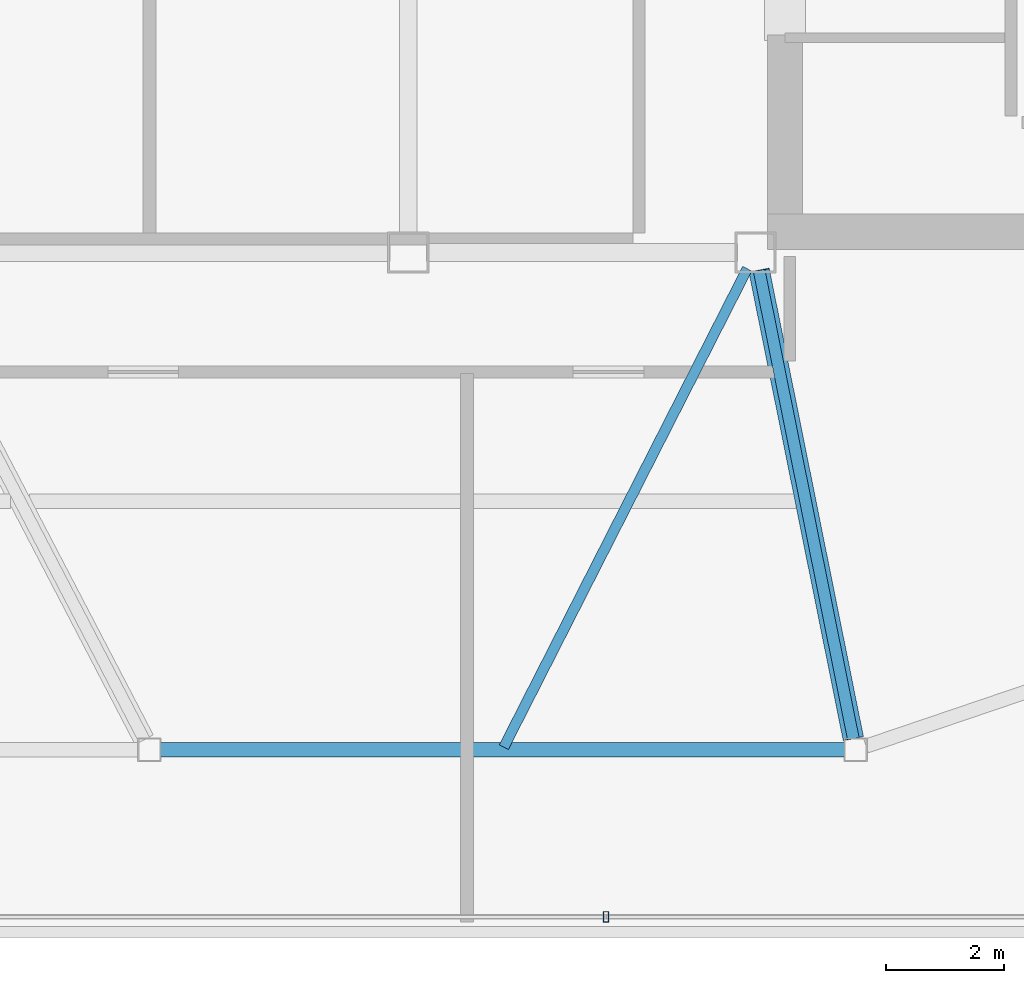
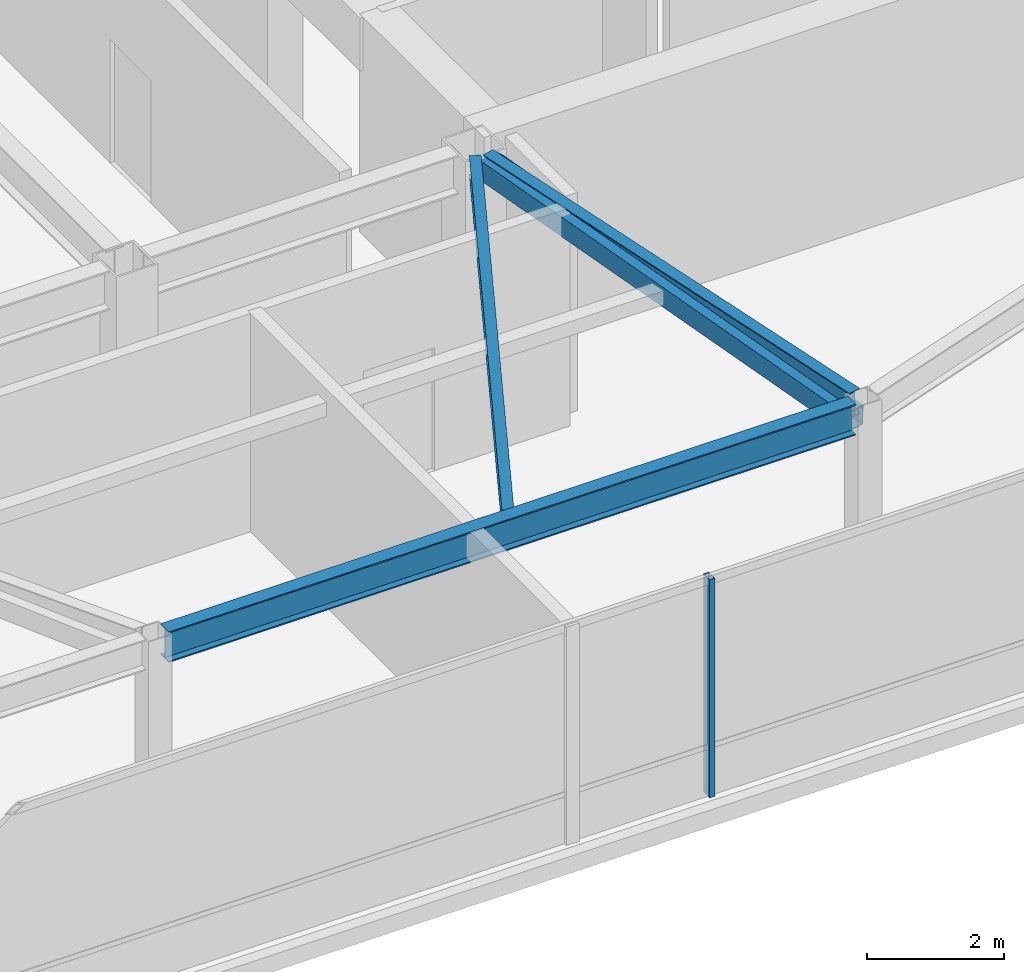
# One storey, part 8 of 21: 3 beams, 2 members, 1 element without a shape of its own.
"""IFC4 building model written with IfcOpenShell, lengths in metres."""

from ifc_helpers import new_model, si_unit, direction, frame, origin, origin_2d, place, context, subcontext, project, spatial, hollow_rectangle, i_section, extrude, material, layer, layer_set, material_profile, profile_set, type_object, element, aggregate, save


model = new_model("IFC4")

# Units and contexts
model_context = context("Model", 3, precision=1e-05, world=origin(), true_north=direction((0.0, 1.0)))
body_context = subcontext(model_context, "Body", "Model", "MODEL_VIEW")
ifc_project = project(units=[si_unit("LENGTHUNIT", "METRE"), si_unit("AREAUNIT", "SQUARE_METRE"), si_unit("VOLUMEUNIT", "CUBIC_METRE"), si_unit("PLANEANGLEUNIT", "RADIAN"), si_unit("MASSUNIT", "GRAM", prefix="KILO")], contexts=[model_context])

# Site, building, storey
site_placement = place(None, origin())
site = spatial("IfcSite", under=ifc_project, at=site_placement, CompositionType="ELEMENT")
building_placement = place(site_placement, origin())
building = spatial("IfcBuilding", under=site, at=building_placement, Name="Tavrogorsk Clinical Tower", CompositionType="ELEMENT")
storey_placement = place(building_placement, frame((0.0, 0.0, 348.60009765625)))
storey = spatial("IfcBuildingStorey", under=building, at=storey_placement, Name="L81", CompositionType="ELEMENT", Elevation=348.60009765625)

# Member
ifc_material_1 = material(Name="Structural steel S390", Category="steel")
ifc_material_profile_1 = material_profile(ifc_material_1, hollow_rectangle(XDim=0.35009765625, YDim=0.35009765625, WallThickness=0.01611328125, at=origin_2d()), Name="SHS-350x350x16")
ifc_profile_set_1 = profile_set([ifc_material_profile_1], Name="Structural steel S390")
member_type_1 = type_object("IfcMemberType", Name="CrownFacetRafter_SHS350", PredefinedType="RAFTER", material=ifc_profile_set_1)
member_1_placement = place(storey_placement, frame((10.361083984375, -6.65380859375, 3.669189453125), z_axis=(0.197131403057, -0.979759922029, -0.034780815313), x_axis=(0.980353070529, 0.197250746779, 0.0)))
element("IfcMember", 1, at=member_1_placement, inside=storey, type_object=member_type_1, Name="L81 Sloped Facet Rafter S-3", PredefinedType="RAFTER", context=body_context, shape_type="SweptSolid", body=[
    extrude(hollow_rectangle(XDim=0.35009765625, YDim=0.35009765625, WallThickness=0.01611328125, at=origin_2d()), origin(), (0.0, 0.0, 1.0), 8.114501953125),
])

# Curtain wall, member
ifc_material_2 = material(Name="Anodised aluminium and triple IGU glazing", Category="aluminium")
ifc_layer = layer(ifc_material_2, 0.179931640625)
ifc_layer_set = layer_set([ifc_layer], Name="Anodised aluminium and triple IGU glazing")
curtain_wall_type = type_object("IfcCurtainWallType", Name="CW5_SkyLobby", PredefinedType="NOTDEFINED", material=ifc_layer_set)
curtain_wall_placement = place(storey_placement, origin())
curtain_wall = element("IfcCurtainWall", 2, at=curtain_wall_placement, inside=storey, type_object=curtain_wall_type, Name="L81 Curtain Wall CW-L81-DRUM-8", PredefinedType="NOTDEFINED")
ifc_material_3 = material(Name="Anodised aluminium alloy AW-6060", Category="aluminium")
ifc_material_profile_2 = material_profile(ifc_material_3, hollow_rectangle(XDim=0.090087890625, YDim=0.179931640625, WallThickness=0.00634765625, at=origin_2d()), Name="RHS-180x90x6.3")
ifc_profile_set_2 = profile_set([ifc_material_profile_2], Name="Anodised aluminium alloy AW-6060")
member_type_2 = type_object("IfcMemberType", Name="CwMullion_180x90", PredefinedType="MULLION", material=ifc_profile_set_2)
member_2_placement = place(storey_placement, frame((7.7578125, -17.639892578125, 0.0), z_axis=(0.0, 0.0, 1.0), x_axis=(-1.0, 0.0, 0.0)))
member_2 = element("IfcMember", 3, at=member_2_placement, type_object=member_type_2, Name="CW-L81-DRUM-8 Mullion 2", PredefinedType="MULLION", context=body_context, shape_type="SweptSolid", body=[
    extrude(hollow_rectangle(XDim=0.090087890625, YDim=0.179931640625, WallThickness=0.00634765625, at=origin_2d()), origin(), (0.0, 0.0, 1.0), 3.89990234375),
])
aggregate(curtain_wall, [member_2])

# Beams
ifc_material_4 = material(Name="Structural steel S355", Category="steel")
ifc_material_profile_3 = material_profile(ifc_material_4, i_section(OverallWidth=0.199951171875, OverallDepth=0.449951171875, WebThickness=0.011474609375, FlangeThickness=0.01806640625, at=origin_2d()), Name="B-450x200x11.5x18")
ifc_profile_set_3 = profile_set([ifc_material_profile_3], Name="Structural steel S355")
beam_type_1 = type_object("IfcBeamType", Name="FloorBeam_B450", PredefinedType="BEAM", material=ifc_profile_set_3)
beam_1_placement = place(storey_placement, frame((10.361083984375, -6.65380859375, 3.6748046875), z_axis=(0.197249355273, -0.980353350504, 0.0), x_axis=(0.980353350504, 0.197249355273, 0.0)))
element("IfcBeam", 4, at=beam_1_placement, inside=storey, type_object=beam_type_1, Name="L81 Crown Radial Beam 03", PredefinedType="BEAM", context=body_context, shape_type="SweptSolid", body=[
    extrude(i_section(OverallWidth=0.199951171875, OverallDepth=0.449951171875, WebThickness=0.011474609375, FlangeThickness=0.01806640625, at=origin_2d()), origin(), (0.0, 0.0, 1.0), 8.119384765625),
])
ifc_material_5 = material(Name="Structural steel S355", Category="steel")
ifc_material_profile_4 = material_profile(ifc_material_5, i_section(OverallWidth=0.175048828125, OverallDepth=0.35009765625, WebThickness=0.009521484375, FlangeThickness=0.013916015625, at=origin_2d()), Name="B-350x175x9.5x14")
ifc_profile_set_4 = profile_set([ifc_material_profile_4], Name="Structural steel S355")
beam_type_2 = type_object("IfcBeamType", Name="SecondaryJoist_B350", PredefinedType="JOIST", material=ifc_profile_set_4)
beam_2_placement = place(storey_placement, frame((10.159423828125, -6.626220703125, 3.724853515625), z_axis=(-0.4535299827, -0.891241019474, 0.0), x_axis=(0.891241019474, -0.4535299827, 0.0)))
element("IfcBeam", 5, at=beam_2_placement, inside=storey, type_object=beam_type_2, Name="L81 Crown Secondary Joist 02", PredefinedType="JOIST", context=body_context, shape_type="SweptSolid", body=[
    extrude(i_section(OverallWidth=0.175048828125, OverallDepth=0.35009765625, WebThickness=0.009521484375, FlangeThickness=0.013916015625, at=origin_2d()), origin(), (0.0, 0.0, 1.0), 9.12109375),
])
ifc_material_6 = material(Name="Structural steel S390", Category="steel")
ifc_material_profile_5 = material_profile(ifc_material_6, i_section(OverallWidth=0.239990234375, OverallDepth=0.550048828125, WebThickness=0.013916015625, FlangeThickness=0.02197265625, at=origin_2d()), Name="B-550x240x14x22")
ifc_profile_set_5 = profile_set([ifc_material_profile_5], Name="Structural steel S390")
beam_type_3 = type_object("IfcBeamType", Name="SpandrelBeam_B550", PredefinedType="SPANDREL", material=ifc_profile_set_5)
beam_3_placement = place(storey_placement, frame((0.18994140625, -14.800048828125, 3.625), z_axis=(1.0, 0.0, 0.0), x_axis=(0.0, 1.0, 0.0)))
element("IfcBeam", 6, at=beam_3_placement, inside=storey, type_object=beam_type_3, Name="L81 Crown Spandrel Beam 02", PredefinedType="SPANDREL", context=body_context, shape_type="SweptSolid", body=[
    extrude(i_section(OverallWidth=0.239990234375, OverallDepth=0.550048828125, WebThickness=0.013916015625, FlangeThickness=0.02197265625, at=origin_2d()), origin(), (0.0, 0.0, 1.0), 11.6201171875),
])

save(model, "model.ifc")
